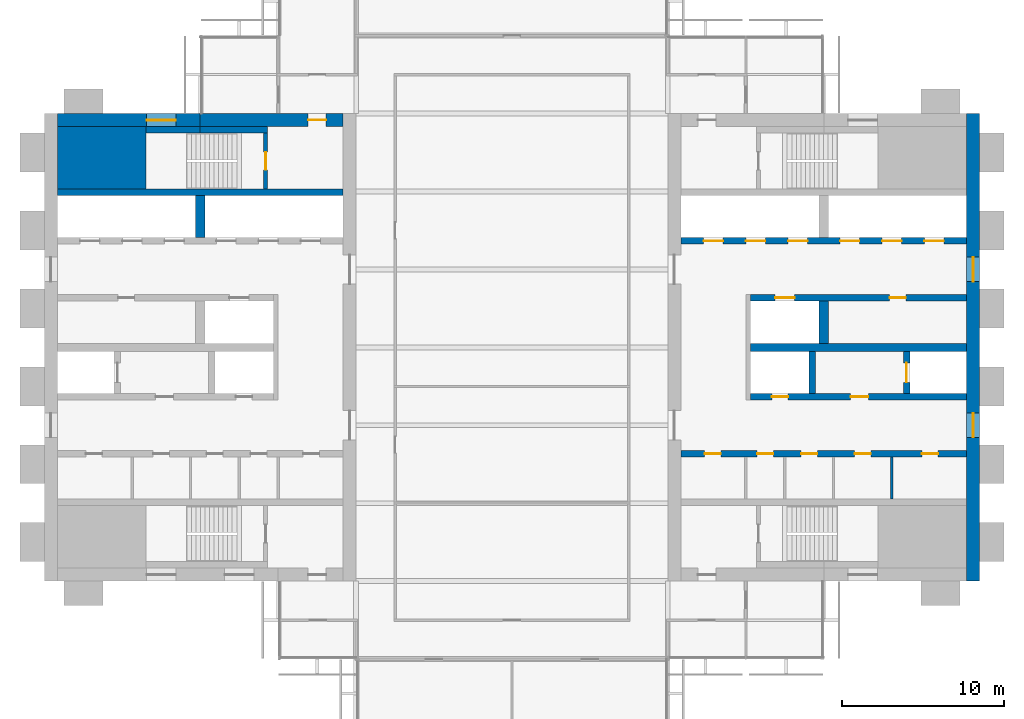
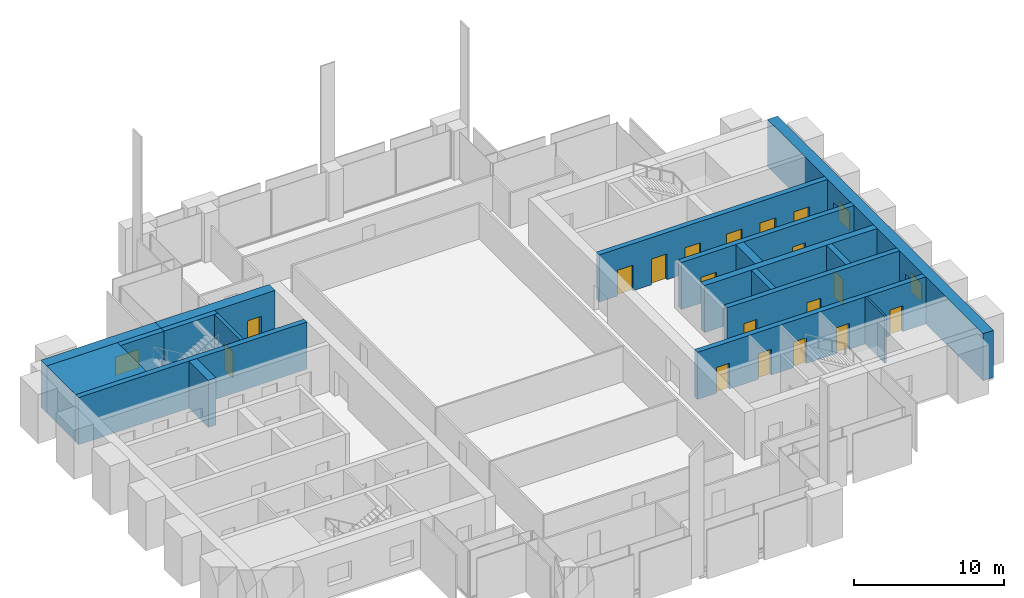
# One storey, part 10 of 13: 18 doors, 18 walls, 3 windows, 21 openings.
"""IFC4 building model written with IfcOpenShell, lengths in metres."""

from ifc_helpers import new_model, si_unit, direction, frame, frame_2d, origin, place, context, subcontext, project, spatial, rectangle, extrude, material, layer, layer_set, type_object, element, fill, save


model = new_model("IFC4")

# Units and contexts
model_context = context("Model", 3, precision=1e-05, world=origin(), true_north=direction((0.0, 1.0)))
body_context = subcontext(model_context, "Body", "Model", "MODEL_VIEW")
ifc_project = project(units=[si_unit("LENGTHUNIT", "METRE"), si_unit("AREAUNIT", "SQUARE_METRE"), si_unit("VOLUMEUNIT", "CUBIC_METRE"), si_unit("PLANEANGLEUNIT", "RADIAN"), si_unit("MASSUNIT", "GRAM", prefix="KILO")], contexts=[model_context])

# Site, building, storey
site_placement = place(None, origin())
site = spatial("IfcSite", under=ifc_project, at=site_placement, CompositionType="ELEMENT")
building_placement = place(site_placement, origin())
building = spatial("IfcBuilding", under=site, at=building_placement, Name="Baori Bourse Tower", CompositionType="ELEMENT")
storey_placement = place(building_placement, frame((0.0, 0.0, 213.199951171875)))
storey = spatial("IfcBuildingStorey", under=building, at=storey_placement, Name="L46", CompositionType="ELEMENT", Elevation=213.199951171875)

# Walls
ifc_material_1 = material(Name="Concrete f'c 50 MPa", Category="concrete")
wall_type_1 = type_object("IfcWallType", Name="Core corner block f'c 50", PredefinedType="SHEAR", material=ifc_material_1)
wall_1_placement = place(storey_placement, frame((0.800048828125, 35.675048828125, 0.0), z_axis=(0.0, 0.0, 1.0), x_axis=(1.0, 0.0, 0.0)))
element("IfcWall", 1, at=wall_1_placement, inside=storey, type_object=wall_type_1, Name="Core wall W24", PredefinedType="SHEAR", context=body_context, shape_type="SweptSolid", body=[
    extrude(rectangle(XDim=5.449951171875, YDim=3.85009765625, at=frame_2d((2.72509765625, 0.0))), origin(), (0.0, 0.0, 1.0), 3.840087890625),
])
ifc_material_2 = material(Name="Blockwork partition", Category="masonry")
ifc_layer_1 = layer(ifc_material_2, 0.14990234375)
ifc_layer_set_1 = layer_set([ifc_layer_1], Name="Core partition 150")
wall_type_2 = type_object("IfcWallType", Name="Core partition 150", PredefinedType="PARTITIONING", material=ifc_layer_set_1)
wall_2_placement = place(storey_placement, frame((52.199951171875, 14.64990234375, 0.0), z_axis=(0.0, 0.0, 1.0), x_axis=(0.0, 1.0, 0.0)))
element("IfcWall", 2, at=wall_2_placement, inside=storey, type_object=wall_type_2, Name="Partition wall E10", PredefinedType="PARTITIONING", context=body_context, shape_type="SweptSolid", body=[
    extrude(rectangle(XDim=2.60009765625, YDim=0.14990234375, at=frame_2d((1.300048828125, 0.0))), origin(), (0.0, 0.0, 1.0), 3.840087890625),
])

# Wall, opening, window
ifc_material_3 = material(Name="Concrete f'c 50 MPa", Category="concrete")
ifc_layer_2 = layer(ifc_material_3, 0.800048828125)
ifc_layer_set_2 = layer_set([ifc_layer_2], Name="Core wall 800 f'c 50")
wall_type_3 = type_object("IfcWallType", Name="Core wall 800 f'c 50", PredefinedType="SHEAR", material=ifc_layer_set_2)
wall_3_placement = place(storey_placement, frame((0.800048828125, 38.0, 0.0), z_axis=(0.0, 0.0, 1.0), x_axis=(1.0, 0.0, 0.0)))
wall_3 = element("IfcWall", 3, at=wall_3_placement, inside=storey, type_object=wall_type_3, Name="Core wall W28", PredefinedType="SHEAR", context=body_context, shape_type="SweptSolid", body=[
    extrude(rectangle(XDim=8.800048828125, YDim=0.800048828125, at=frame_2d((4.39990234375, 0.0))), origin(), (0.0, 0.0, 1.0), 3.840087890625),
])
opening_1_placement = place(wall_3_placement, frame((5.5, 0.0, 0.89990234375)))
opening_1 = element("IfcOpeningElement", 4, at=opening_1_placement, cuts=wall_3, Name="Opening L46-KW105", PredefinedType="OPENING", context=body_context, shape_type="SweptSolid", body=[
    extrude(rectangle(XDim=1.800048828125, YDim=1.5, at=frame_2d((0.89990234375, 0.75))), frame((0.0, 0.409912109375, 0.0), z_axis=(0.0, -1.0, 0.0), x_axis=(1.0, 0.0, 0.0)), (0.0, 0.0, 1.0), 0.820068359375),
])
ifc_material_4 = material(Name="Pale anodised aluminium", Category="aluminium")
window_type_1 = type_object("IfcWindowType", Name="Stair window 1800 x 1500", PartitioningType="SINGLE_PANEL", PredefinedType="WINDOW", material=ifc_material_4)
window_1_placement = place(opening_1_placement, origin())
window_1 = element("IfcWindow", 5, at=window_1_placement, inside=storey, type_object=window_type_1, Name="Stair window W L46 5", OverallHeight=1.5, OverallWidth=1.800048828125, PartitioningType="SINGLE_PANEL", PredefinedType="WINDOW", context=body_context, shape_type="SweptSolid", body=[
    extrude(rectangle(XDim=1.800048828125, YDim=1.5, at=frame_2d((0.89990234375, 0.75))), frame((0.0, 0.030029296875, 0.0), z_axis=(0.0, -1.0, 0.0), x_axis=(1.0, 0.0, 0.0)), (0.0, 0.0, 1.0), 0.06005859375),
])
fill(opening_1, window_1)

# Wall, opening, door
wall_4_placement = place(storey_placement, frame((9.60009765625, 38.0, 0.0), z_axis=(0.0, 0.0, 1.0), x_axis=(1.0, 0.0, 0.0)))
wall_4 = element("IfcWall", 6, at=wall_4_placement, inside=storey, type_object=wall_type_3, Name="Core wall W29", PredefinedType="SHEAR", context=body_context, shape_type="SweptSolid", body=[
    extrude(rectangle(XDim=8.7998046875, YDim=0.800048828125, at=frame_2d((4.39990234375, 0.0))), origin(), (0.0, 0.0, 1.0), 3.840087890625),
])
opening_2_placement = place(wall_4_placement, frame((6.64990234375, 0.0, 0.0)))
opening_2 = element("IfcOpeningElement", 7, at=opening_2_placement, cuts=wall_4, Name="Opening L46-D104", PredefinedType="OPENING", context=body_context, shape_type="SweptSolid", body=[
    extrude(rectangle(XDim=1.10009765625, YDim=2.10009765625, at=frame_2d((0.550048828125, 1.050048828125))), frame((0.0, 0.409912109375, 0.0), z_axis=(0.0, -1.0, 0.0), x_axis=(1.0, 0.0, 0.0)), (0.0, 0.0, 1.0), 0.820068359375),
])
ifc_material_5 = material(Name="Painted steel door", Category="steel")
door_type_1 = type_object("IfcDoorType", Name="Stair door 1100", OperationType="SINGLE_SWING_LEFT", PredefinedType="DOOR", material=ifc_material_5)
door_1_placement = place(opening_2_placement, origin())
door_1 = element("IfcDoor", 8, at=door_1_placement, inside=storey, type_object=door_type_1, Name="Stair vestibule door B W L46", OperationType="SINGLE_SWING_LEFT", OverallHeight=2.10009765625, OverallWidth=1.10009765625, PredefinedType="DOOR", context=body_context, shape_type="SweptSolid", body=[
    extrude(rectangle(XDim=1.10009765625, YDim=2.10009765625, at=frame_2d((0.550048828125, 1.050048828125))), frame((0.0, 0.02490234375, 0.0), z_axis=(0.0, -1.0, 0.0), x_axis=(1.0, 0.0, 0.0)), (0.0, 0.0, 1.0), 0.050048828125),
])
fill(opening_2, door_1)

# Wall, openings, windows
wall_5_placement = place(storey_placement, frame((57.199951171875, 38.39990234375, 0.0), z_axis=(0.0, 0.0, 1.0), x_axis=(0.0, -1.0, 0.0)))
wall_5 = element("IfcWall", 9, at=wall_5_placement, inside=storey, type_object=wall_type_3, Name="Core wall E01", PredefinedType="SHEAR", context=body_context, shape_type="SweptSolid", body=[
    extrude(rectangle(XDim=28.7998046875, YDim=0.800048828125, at=frame_2d((14.39990234375, 0.0))), origin(), (0.0, 0.0, 1.0), 3.840087890625),
])
opening_3_placement = place(wall_5_placement, frame((18.449951171875, 0.0, 0.89990234375)))
opening_3 = element("IfcOpeningElement", 10, at=opening_3_placement, cuts=wall_5, Name="Opening L46-KW201", PredefinedType="OPENING", context=body_context, shape_type="SweptSolid", body=[
    extrude(rectangle(XDim=1.5, YDim=1.5, at=frame_2d((0.75, 0.75))), frame((0.0, 0.409912109375, 0.0), z_axis=(0.0, -1.0, 0.0), x_axis=(1.0, 0.0, 0.0)), (0.0, 0.0, 1.0), 0.820068359375),
])
opening_4_placement = place(wall_5_placement, frame((8.85009765625, 0.0, 0.89990234375)))
opening_4 = element("IfcOpeningElement", 11, at=opening_4_placement, cuts=wall_5, Name="Opening L46-KW202", PredefinedType="OPENING", context=body_context, shape_type="SweptSolid", body=[
    extrude(rectangle(XDim=1.5, YDim=1.5, at=frame_2d((0.75, 0.75))), frame((0.0, 0.409912109375, 0.0), z_axis=(0.0, -1.0, 0.0), x_axis=(1.0, 0.0, 0.0)), (0.0, 0.0, 1.0), 0.820068359375),
])
ifc_material_6 = material(Name="Pale anodised aluminium", Category="aluminium")
window_type_2 = type_object("IfcWindowType", Name="Lobby window 1500 x 1500", PartitioningType="SINGLE_PANEL", PredefinedType="WINDOW", material=ifc_material_6)
window_2_placement = place(opening_3_placement, origin())
window_2 = element("IfcWindow", 12, at=window_2_placement, inside=storey, type_object=window_type_2, Name="Outer wall window E L46 1", OverallHeight=1.5, OverallWidth=1.5, PartitioningType="SINGLE_PANEL", PredefinedType="WINDOW", context=body_context, shape_type="SweptSolid", body=[
    extrude(rectangle(XDim=1.5, YDim=1.5, at=frame_2d((0.75, 0.75))), frame((0.0, 0.030029296875, 0.0), z_axis=(0.0, -1.0, 0.0), x_axis=(1.0, 0.0, 0.0)), (0.0, 0.0, 1.0), 0.06005859375),
])
fill(opening_3, window_2)
window_3_placement = place(opening_4_placement, origin())
window_3 = element("IfcWindow", 13, at=window_3_placement, inside=storey, type_object=window_type_2, Name="Outer wall window E L46 2", OverallHeight=1.5, OverallWidth=1.5, PartitioningType="SINGLE_PANEL", PredefinedType="WINDOW", context=body_context, shape_type="SweptSolid", body=[
    extrude(rectangle(XDim=1.5, YDim=1.5, at=frame_2d((0.75, 0.75))), frame((0.0, 0.030029296875, 0.0), z_axis=(0.0, -1.0, 0.0), x_axis=(1.0, 0.0, 0.0)), (0.0, 0.0, 1.0), 0.06005859375),
])
fill(opening_4, window_3)

# Wall, opening, door
ifc_material_7 = material(Name="Concrete f'c 50 MPa", Category="concrete")
ifc_layer_3 = layer(ifc_material_7, 0.25)
ifc_layer_set_3 = layer_set([ifc_layer_3], Name="Shaft wall 250 f'c 50")
wall_type_4 = type_object("IfcWallType", Name="Shaft wall 250 f'c 50", PredefinedType="SHEAR", material=ifc_layer_set_3)
wall_6_placement = place(storey_placement, frame((13.625, 33.75, 0.0), z_axis=(0.0, 0.0, 1.0), x_axis=(0.0, 1.0, 0.0)))
wall_6 = element("IfcWall", 14, at=wall_6_placement, inside=storey, type_object=wall_type_4, Name="Core wall W25", PredefinedType="SHEAR", context=body_context, shape_type="SweptSolid", body=[
    extrude(rectangle(XDim=3.449951171875, YDim=0.25, at=frame_2d((1.72509765625, 0.0))), origin(), (0.0, 0.0, 1.0), 3.840087890625),
])
opening_5_placement = place(wall_6_placement, frame((1.175048828125, 0.0, 0.0)))
opening_5 = element("IfcOpeningElement", 15, at=opening_5_placement, cuts=wall_6, Name="Opening L46-D103", PredefinedType="OPENING", context=body_context, shape_type="SweptSolid", body=[
    extrude(rectangle(XDim=1.10009765625, YDim=2.10009765625, at=frame_2d((0.550048828125, 1.050048828125))), frame((0.0, 0.135009765625, 0.0), z_axis=(0.0, -1.0, 0.0), x_axis=(1.0, 0.0, 0.0)), (0.0, 0.0, 1.0), 0.27001953125),
])
door_2_placement = place(opening_5_placement, origin())
door_2 = element("IfcDoor", 16, at=door_2_placement, inside=storey, type_object=door_type_1, Name="Stair door B W L46", OperationType="SINGLE_SWING_LEFT", OverallHeight=2.10009765625, OverallWidth=1.10009765625, PredefinedType="DOOR", context=body_context, shape_type="SweptSolid", body=[
    extrude(rectangle(XDim=1.10009765625, YDim=2.10009765625, at=frame_2d((0.550048828125, 1.050048828125))), frame((0.0, 0.02490234375, 0.0), z_axis=(0.0, -1.0, 0.0), x_axis=(1.0, 0.0, 0.0)), (0.0, 0.0, 1.0), 0.050048828125),
])
fill(opening_5, door_2)

# Walls
ifc_material_8 = material(Name="Concrete f'c 50 MPa", Category="concrete")
ifc_layer_4 = layer(ifc_material_8, 0.39990234375)
ifc_layer_set_4 = layer_set([ifc_layer_4], Name="Shaft wall 400 f'c 50")
wall_type_5 = type_object("IfcWallType", Name="Shaft wall 400 f'c 50", PredefinedType="SHEAR", material=ifc_layer_set_4)
wall_7_placement = place(storey_placement, frame((0.800048828125, 33.550048828125, 0.0), z_axis=(0.0, 0.0, 1.0), x_axis=(1.0, 0.0, 0.0)))
element("IfcWall", 17, at=wall_7_placement, inside=storey, type_object=wall_type_5, Name="Core wall W23", PredefinedType="SHEAR", context=body_context, shape_type="SweptSolid", body=[
    extrude(rectangle(XDim=17.599853515625, YDim=0.39990234375, at=frame_2d((8.7998046875, 0.0))), origin(), (0.0, 0.0, 1.0), 3.840087890625),
])
wall_8_placement = place(storey_placement, frame((6.25, 37.39990234375, 0.0), z_axis=(0.0, 0.0, 1.0), x_axis=(1.0, 0.0, 0.0)))
element("IfcWall", 18, at=wall_8_placement, inside=storey, type_object=wall_type_5, Name="Core wall W26", PredefinedType="SHEAR", context=body_context, shape_type="SweptSolid", body=[
    extrude(rectangle(XDim=3.35009765625, YDim=0.39990234375, at=frame_2d((1.675048828125, 0.0))), origin(), (0.0, 0.0, 1.0), 3.840087890625),
])
wall_9_placement = place(storey_placement, frame((9.60009765625, 37.39990234375, 0.0), z_axis=(0.0, 0.0, 1.0), x_axis=(1.0, 0.0, 0.0)))
element("IfcWall", 19, at=wall_9_placement, inside=storey, type_object=wall_type_5, Name="Core wall W27", PredefinedType="SHEAR", context=body_context, shape_type="SweptSolid", body=[
    extrude(rectangle(XDim=4.14990234375, YDim=0.39990234375, at=frame_2d((2.074951171875, 0.0))), origin(), (0.0, 0.0, 1.0), 3.840087890625),
])

# Wall, openings, doors
wall_10_placement = place(storey_placement, frame((39.199951171875, 17.449951171875, 0.0), z_axis=(0.0, 0.0, 1.0), x_axis=(1.0, 0.0, 0.0)))
wall_10 = element("IfcWall", 20, at=wall_10_placement, inside=storey, type_object=wall_type_5, Name="Core wall E14", PredefinedType="SHEAR", context=body_context, shape_type="SweptSolid", body=[
    extrude(rectangle(XDim=17.60009765625, YDim=0.39990234375, at=frame_2d((8.800048828125, 0.0))), origin(), (0.0, 0.0, 1.0), 3.840087890625),
])
opening_6_placement = place(wall_10_placement, frame((14.83740234375, 0.0, 0.0)))
opening_6 = element("IfcOpeningElement", 21, at=opening_6_placement, cuts=wall_10, Name="Opening L46-D209", PredefinedType="OPENING", context=body_context, shape_type="SweptSolid", body=[
    extrude(rectangle(XDim=1.0, YDim=2.10009765625, at=frame_2d((0.5, 1.050048828125))), frame((0.0, 0.2099609375, 0.0), z_axis=(0.0, -1.0, 0.0), x_axis=(1.0, 0.0, 0.0)), (0.0, 0.0, 1.0), 0.419921875),
])
opening_7_placement = place(wall_10_placement, frame((10.699951171875, 0.0, 0.0)))
opening_7 = element("IfcOpeningElement", 22, at=opening_7_placement, cuts=wall_10, Name="Opening L46-D210", PredefinedType="OPENING", context=body_context, shape_type="SweptSolid", body=[
    extrude(rectangle(XDim=1.0, YDim=2.10009765625, at=frame_2d((0.5, 1.050048828125))), frame((0.0, 0.2099609375, 0.0), z_axis=(0.0, -1.0, 0.0), x_axis=(1.0, 0.0, 0.0)), (0.0, 0.0, 1.0), 0.419921875),
])
opening_8_placement = place(wall_10_placement, frame((7.39990234375, 0.0, 0.0)))
opening_8 = element("IfcOpeningElement", 23, at=opening_8_placement, cuts=wall_10, Name="Opening L46-D211", PredefinedType="OPENING", context=body_context, shape_type="SweptSolid", body=[
    extrude(rectangle(XDim=1.0, YDim=2.10009765625, at=frame_2d((0.5, 1.050048828125))), frame((0.0, 0.2099609375, 0.0), z_axis=(0.0, -1.0, 0.0), x_axis=(1.0, 0.0, 0.0)), (0.0, 0.0, 1.0), 0.419921875),
])
opening_9_placement = place(wall_10_placement, frame((4.699951171875, 0.0, 0.0)))
opening_9 = element("IfcOpeningElement", 24, at=opening_9_placement, cuts=wall_10, Name="Opening L46-D212", PredefinedType="OPENING", context=body_context, shape_type="SweptSolid", body=[
    extrude(rectangle(XDim=1.0, YDim=2.10009765625, at=frame_2d((0.5, 1.050048828125))), frame((0.0, 0.2099609375, 0.0), z_axis=(0.0, -1.0, 0.0), x_axis=(1.0, 0.0, 0.0)), (0.0, 0.0, 1.0), 0.419921875),
])
opening_10_placement = place(wall_10_placement, frame((1.46240234375, 0.0, 0.0)))
opening_10 = element("IfcOpeningElement", 25, at=opening_10_placement, cuts=wall_10, Name="Opening L46-D213", PredefinedType="OPENING", context=body_context, shape_type="SweptSolid", body=[
    extrude(rectangle(XDim=1.0, YDim=2.10009765625, at=frame_2d((0.5, 1.050048828125))), frame((0.0, 0.2099609375, 0.0), z_axis=(0.0, -1.0, 0.0), x_axis=(1.0, 0.0, 0.0)), (0.0, 0.0, 1.0), 0.419921875),
])
ifc_material_9 = material(Name="Painted steel door", Category="steel")
door_type_2 = type_object("IfcDoorType", Name="Core door 1000", OperationType="SINGLE_SWING_LEFT", PredefinedType="DOOR", material=ifc_material_9)
door_3_placement = place(opening_6_placement, origin())
door_3 = element("IfcDoor", 26, at=door_3_placement, inside=storey, type_object=door_type_2, Name="Men'S Wc door E L46", OperationType="SINGLE_SWING_LEFT", OverallHeight=2.10009765625, OverallWidth=1.0, PredefinedType="DOOR", context=body_context, shape_type="SweptSolid", body=[
    extrude(rectangle(XDim=1.0, YDim=2.10009765625, at=frame_2d((0.5, 1.050048828125))), frame((0.0, 0.02490234375, 0.0), z_axis=(0.0, -1.0, 0.0), x_axis=(1.0, 0.0, 0.0)), (0.0, 0.0, 1.0), 0.050048828125),
])
fill(opening_6, door_3)
door_4_placement = place(opening_7_placement, origin())
door_4 = element("IfcDoor", 27, at=door_4_placement, inside=storey, type_object=door_type_2, Name="Women'S Wc door E L46", OperationType="SINGLE_SWING_LEFT", OverallHeight=2.10009765625, OverallWidth=1.0, PredefinedType="DOOR", context=body_context, shape_type="SweptSolid", body=[
    extrude(rectangle(XDim=1.0, YDim=2.10009765625, at=frame_2d((0.5, 1.050048828125))), frame((0.0, 0.02490234375, 0.0), z_axis=(0.0, -1.0, 0.0), x_axis=(1.0, 0.0, 0.0)), (0.0, 0.0, 1.0), 0.050048828125),
])
fill(opening_7, door_4)
door_5_placement = place(opening_8_placement, origin())
door_5 = element("IfcDoor", 28, at=door_5_placement, inside=storey, type_object=door_type_2, Name="Pantry door E L46", OperationType="SINGLE_SWING_LEFT", OverallHeight=2.10009765625, OverallWidth=1.0, PredefinedType="DOOR", context=body_context, shape_type="SweptSolid", body=[
    extrude(rectangle(XDim=1.0, YDim=2.10009765625, at=frame_2d((0.5, 1.050048828125))), frame((0.0, 0.02490234375, 0.0), z_axis=(0.0, -1.0, 0.0), x_axis=(1.0, 0.0, 0.0)), (0.0, 0.0, 1.0), 0.050048828125),
])
fill(opening_8, door_5)
door_6_placement = place(opening_9_placement, origin())
door_6 = element("IfcDoor", 29, at=door_6_placement, inside=storey, type_object=door_type_2, Name="Store Room door E L46", OperationType="SINGLE_SWING_LEFT", OverallHeight=2.10009765625, OverallWidth=1.0, PredefinedType="DOOR", context=body_context, shape_type="SweptSolid", body=[
    extrude(rectangle(XDim=1.0, YDim=2.10009765625, at=frame_2d((0.5, 1.050048828125))), frame((0.0, 0.02490234375, 0.0), z_axis=(0.0, -1.0, 0.0), x_axis=(1.0, 0.0, 0.0)), (0.0, 0.0, 1.0), 0.050048828125),
])
fill(opening_9, door_6)
door_7_placement = place(opening_10_placement, origin())
door_7 = element("IfcDoor", 30, at=door_7_placement, inside=storey, type_object=door_type_2, Name="Accessible Wc door E L46", OperationType="SINGLE_SWING_LEFT", OverallHeight=2.10009765625, OverallWidth=1.0, PredefinedType="DOOR", context=body_context, shape_type="SweptSolid", body=[
    extrude(rectangle(XDim=1.0, YDim=2.10009765625, at=frame_2d((0.5, 1.050048828125))), frame((0.0, 0.02490234375, 0.0), z_axis=(0.0, -1.0, 0.0), x_axis=(1.0, 0.0, 0.0)), (0.0, 0.0, 1.0), 0.050048828125),
])
fill(opening_10, door_7)

wall_11_placement = place(storey_placement, frame((43.5, 20.949951171875, 0.0), z_axis=(0.0, 0.0, 1.0), x_axis=(1.0, 0.0, 0.0)))
wall_11 = element("IfcWall", 31, at=wall_11_placement, inside=storey, type_object=wall_type_5, Name="Core wall E15", PredefinedType="SHEAR", context=body_context, shape_type="SweptSolid", body=[
    extrude(rectangle(XDim=13.300048828125, YDim=0.39990234375, at=frame_2d((6.64990234375, 0.0))), origin(), (0.0, 0.0, 1.0), 3.840087890625),
])
opening_11_placement = place(wall_11_placement, frame((6.14990234375, 0.0, 0.0)))
opening_11 = element("IfcOpeningElement", 32, at=opening_11_placement, cuts=wall_11, Name="Opening L46-D205", PredefinedType="OPENING", context=body_context, shape_type="SweptSolid", body=[
    extrude(rectangle(XDim=1.10009765625, YDim=2.10009765625, at=frame_2d((0.550048828125, 1.050048828125))), frame((0.0, 0.2099609375, 0.0), z_axis=(0.0, -1.0, 0.0), x_axis=(1.0, 0.0, 0.0)), (0.0, 0.0, 1.0), 0.419921875),
])
opening_12_placement = place(wall_11_placement, frame((1.300048828125, 0.0, 0.0)))
opening_12 = element("IfcOpeningElement", 33, at=opening_12_placement, cuts=wall_11, Name="Opening L46-D206", PredefinedType="OPENING", context=body_context, shape_type="SweptSolid", body=[
    extrude(rectangle(XDim=1.0, YDim=2.10009765625, at=frame_2d((0.5, 1.050048828125))), frame((0.0, 0.2099609375, 0.0), z_axis=(0.0, -1.0, 0.0), x_axis=(1.0, 0.0, 0.0)), (0.0, 0.0, 1.0), 0.419921875),
])
ifc_material_10 = material(Name="Painted steel door", Category="steel")
door_type_3 = type_object("IfcDoorType", Name="Lobby door 1100", OperationType="SINGLE_SWING_LEFT", PredefinedType="DOOR", material=ifc_material_10)
door_8_placement = place(opening_11_placement, origin())
door_8 = element("IfcDoor", 34, at=door_8_placement, inside=storey, type_object=door_type_3, Name="Firefighting lobby door E L46", OperationType="SINGLE_SWING_LEFT", OverallHeight=2.10009765625, OverallWidth=1.10009765625, PredefinedType="DOOR", context=body_context, shape_type="SweptSolid", body=[
    extrude(rectangle(XDim=1.10009765625, YDim=2.10009765625, at=frame_2d((0.550048828125, 1.050048828125))), frame((0.0, 0.02490234375, 0.0), z_axis=(0.0, -1.0, 0.0), x_axis=(1.0, 0.0, 0.0)), (0.0, 0.0, 1.0), 0.050048828125),
])
fill(opening_11, door_8)
ifc_material_11 = material(Name="Painted steel door", Category="steel")
door_type_4 = type_object("IfcDoorType", Name="Shaft door 1000", OperationType="SINGLE_SWING_LEFT", PredefinedType="DOOR", material=ifc_material_11)
door_9_placement = place(opening_12_placement, origin())
door_9 = element("IfcDoor", 35, at=door_9_placement, inside=storey, type_object=door_type_4, Name="Riser room door E L46", OperationType="SINGLE_SWING_LEFT", OverallHeight=2.10009765625, OverallWidth=1.0, PredefinedType="DOOR", context=body_context, shape_type="SweptSolid", body=[
    extrude(rectangle(XDim=1.0, YDim=2.10009765625, at=frame_2d((0.5, 1.050048828125))), frame((0.0, 0.02490234375, 0.0), z_axis=(0.0, -1.0, 0.0), x_axis=(1.0, 0.0, 0.0)), (0.0, 0.0, 1.0), 0.050048828125),
])
fill(opening_12, door_9)

# Wall, opening, door
wall_12_placement = place(storey_placement, frame((53.10009765625, 21.14990234375, 0.0), z_axis=(0.0, 0.0, 1.0), x_axis=(0.0, 1.0, 0.0)))
wall_12 = element("IfcWall", 36, at=wall_12_placement, inside=storey, type_object=wall_type_5, Name="Core wall E17", PredefinedType="SHEAR", context=body_context, shape_type="SweptSolid", body=[
    extrude(rectangle(XDim=2.60009765625, YDim=0.39990234375, at=frame_2d((1.300048828125, 0.0))), origin(), (0.0, 0.0, 1.0), 3.840087890625),
])
opening_13_placement = place(wall_12_placement, frame((0.699951171875, 0.0, 0.0)))
opening_13 = element("IfcOpeningElement", 37, at=opening_13_placement, cuts=wall_12, Name="Opening L46-D222", PredefinedType="OPENING", context=body_context, shape_type="SweptSolid", body=[
    extrude(rectangle(XDim=1.199951171875, YDim=2.10009765625, at=frame_2d((0.60009765625, 1.050048828125))), frame((0.0, 0.2099609375, 0.0), z_axis=(0.0, -1.0, 0.0), x_axis=(1.0, 0.0, 0.0)), (0.0, 0.0, 1.0), 0.419921875),
])
ifc_material_12 = material(Name="Stainless steel door", Category="steel")
door_type_5 = type_object("IfcDoorType", Name="Lift landing door", OperationType="DOUBLE_DOOR_SLIDING", PredefinedType="DOOR", material=ifc_material_12)
door_10_placement = place(opening_13_placement, origin())
door_10 = element("IfcDoor", 38, at=door_10_placement, inside=storey, type_object=door_type_5, Name="Lift landing door FF2 E L46", OperationType="DOUBLE_DOOR_SLIDING", OverallHeight=2.10009765625, OverallWidth=1.199951171875, PredefinedType="DOOR", context=body_context, shape_type="SweptSolid", body=[
    extrude(rectangle(XDim=1.199951171875, YDim=2.10009765625, at=frame_2d((0.60009765625, 1.050048828125))), frame((0.0, 0.02490234375, 0.0), z_axis=(0.0, -1.0, 0.0), x_axis=(1.0, 0.0, 0.0)), (0.0, 0.0, 1.0), 0.050048828125),
])
fill(opening_13, door_10)

# Wall
wall_13_placement = place(storey_placement, frame((47.300048828125, 21.14990234375, 0.0), z_axis=(0.0, 0.0, 1.0), x_axis=(0.0, 1.0, 0.0)))
element("IfcWall", 39, at=wall_13_placement, inside=storey, type_object=wall_type_5, Name="Core wall E18", PredefinedType="SHEAR", context=body_context, shape_type="SweptSolid", body=[
    extrude(rectangle(XDim=2.60009765625, YDim=0.39990234375, at=frame_2d((1.300048828125, 0.0))), origin(), (0.0, 0.0, 1.0), 3.840087890625),
])

# Wall, openings, doors
wall_14_placement = place(storey_placement, frame((43.5, 27.050048828125, 0.0), z_axis=(0.0, 0.0, 1.0), x_axis=(1.0, 0.0, 0.0)))
wall_14 = element("IfcWall", 40, at=wall_14_placement, inside=storey, type_object=wall_type_5, Name="Core wall E21", PredefinedType="SHEAR", context=body_context, shape_type="SweptSolid", body=[
    extrude(rectangle(XDim=13.300048828125, YDim=0.39990234375, at=frame_2d((6.64990234375, 0.0))), origin(), (0.0, 0.0, 1.0), 3.840087890625),
])
opening_14_placement = place(wall_14_placement, frame((8.550048828125, 0.0, 0.0)))
opening_14 = element("IfcOpeningElement", 41, at=opening_14_placement, cuts=wall_14, Name="Opening L46-D214", PredefinedType="OPENING", context=body_context, shape_type="SweptSolid", body=[
    extrude(rectangle(XDim=1.0, YDim=2.10009765625, at=frame_2d((0.5, 1.050048828125))), frame((0.0, 0.2099609375, 0.0), z_axis=(0.0, -1.0, 0.0), x_axis=(1.0, 0.0, 0.0)), (0.0, 0.0, 1.0), 0.419921875),
])
opening_15_placement = place(wall_14_placement, frame((1.5, 0.0, 0.0)))
opening_15 = element("IfcOpeningElement", 42, at=opening_15_placement, cuts=wall_14, Name="Opening L46-D221", PredefinedType="OPENING", context=body_context, shape_type="SweptSolid", body=[
    extrude(rectangle(XDim=1.199951171875, YDim=2.10009765625, at=frame_2d((0.60009765625, 1.050048828125))), frame((0.0, 0.2099609375, 0.0), z_axis=(0.0, -1.0, 0.0), x_axis=(1.0, 0.0, 0.0)), (0.0, 0.0, 1.0), 0.419921875),
])
door_11_placement = place(opening_14_placement, origin())
door_11 = element("IfcDoor", 43, at=door_11_placement, inside=storey, type_object=door_type_2, Name="Copy Room door E L46", OperationType="SINGLE_SWING_LEFT", OverallHeight=2.10009765625, OverallWidth=1.0, PredefinedType="DOOR", context=body_context, shape_type="SweptSolid", body=[
    extrude(rectangle(XDim=1.0, YDim=2.10009765625, at=frame_2d((0.5, 1.050048828125))), frame((0.0, 0.02490234375, 0.0), z_axis=(0.0, -1.0, 0.0), x_axis=(1.0, 0.0, 0.0)), (0.0, 0.0, 1.0), 0.050048828125),
])
fill(opening_14, door_11)
door_12_placement = place(opening_15_placement, origin())
door_12 = element("IfcDoor", 44, at=door_12_placement, inside=storey, type_object=door_type_5, Name="Lift landing door SV1 E L46", OperationType="DOUBLE_DOOR_SLIDING", OverallHeight=2.10009765625, OverallWidth=1.199951171875, PredefinedType="DOOR", context=body_context, shape_type="SweptSolid", body=[
    extrude(rectangle(XDim=1.199951171875, YDim=2.10009765625, at=frame_2d((0.60009765625, 1.050048828125))), frame((0.0, 0.02490234375, 0.0), z_axis=(0.0, -1.0, 0.0), x_axis=(1.0, 0.0, 0.0)), (0.0, 0.0, 1.0), 0.050048828125),
])
fill(opening_15, door_12)

wall_15_placement = place(storey_placement, frame((39.199951171875, 30.550048828125, 0.0), z_axis=(0.0, 0.0, 1.0), x_axis=(1.0, 0.0, 0.0)))
wall_15 = element("IfcWall", 45, at=wall_15_placement, inside=storey, type_object=wall_type_5, Name="Core wall E22", PredefinedType="SHEAR", context=body_context, shape_type="SweptSolid", body=[
    extrude(rectangle(XDim=17.60009765625, YDim=0.39990234375, at=frame_2d((8.800048828125, 0.0))), origin(), (0.0, 0.0, 1.0), 3.840087890625),
])
opening_16_placement = place(wall_15_placement, frame((15.0, 0.0, 0.0)))
opening_16 = element("IfcOpeningElement", 46, at=opening_16_placement, cuts=wall_15, Name="Opening L46-D215", PredefinedType="OPENING", context=body_context, shape_type="SweptSolid", body=[
    extrude(rectangle(XDim=1.199951171875, YDim=2.10009765625, at=frame_2d((0.60009765625, 1.050048828125))), frame((0.0, 0.2099609375, 0.0), z_axis=(0.0, -1.0, 0.0), x_axis=(1.0, 0.0, 0.0)), (0.0, 0.0, 1.0), 0.419921875),
])
opening_17_placement = place(wall_15_placement, frame((12.39990234375, 0.0, 0.0)))
opening_17 = element("IfcOpeningElement", 47, at=opening_17_placement, cuts=wall_15, Name="Opening L46-D216", PredefinedType="OPENING", context=body_context, shape_type="SweptSolid", body=[
    extrude(rectangle(XDim=1.199951171875, YDim=2.10009765625, at=frame_2d((0.60009765625, 1.050048828125))), frame((0.0, 0.2099609375, 0.0), z_axis=(0.0, -1.0, 0.0), x_axis=(1.0, 0.0, 0.0)), (0.0, 0.0, 1.0), 0.419921875),
])
opening_18_placement = place(wall_15_placement, frame((9.800048828125, 0.0, 0.0)))
opening_18 = element("IfcOpeningElement", 48, at=opening_18_placement, cuts=wall_15, Name="Opening L46-D217", PredefinedType="OPENING", context=body_context, shape_type="SweptSolid", body=[
    extrude(rectangle(XDim=1.199951171875, YDim=2.10009765625, at=frame_2d((0.60009765625, 1.050048828125))), frame((0.0, 0.2099609375, 0.0), z_axis=(0.0, -1.0, 0.0), x_axis=(1.0, 0.0, 0.0)), (0.0, 0.0, 1.0), 0.419921875),
])
opening_19_placement = place(wall_15_placement, frame((6.60009765625, 0.0, 0.0)))
opening_19 = element("IfcOpeningElement", 49, at=opening_19_placement, cuts=wall_15, Name="Opening L46-D218", PredefinedType="OPENING", context=body_context, shape_type="SweptSolid", body=[
    extrude(rectangle(XDim=1.199951171875, YDim=2.10009765625, at=frame_2d((0.60009765625, 1.050048828125))), frame((0.0, 0.2099609375, 0.0), z_axis=(0.0, -1.0, 0.0), x_axis=(1.0, 0.0, 0.0)), (0.0, 0.0, 1.0), 0.419921875),
])
opening_20_placement = place(wall_15_placement, frame((4.0, 0.0, 0.0)))
opening_20 = element("IfcOpeningElement", 50, at=opening_20_placement, cuts=wall_15, Name="Opening L46-D219", PredefinedType="OPENING", context=body_context, shape_type="SweptSolid", body=[
    extrude(rectangle(XDim=1.199951171875, YDim=2.10009765625, at=frame_2d((0.60009765625, 1.050048828125))), frame((0.0, 0.2099609375, 0.0), z_axis=(0.0, -1.0, 0.0), x_axis=(1.0, 0.0, 0.0)), (0.0, 0.0, 1.0), 0.419921875),
])
opening_21_placement = place(wall_15_placement, frame((1.39990234375, 0.0, 0.0)))
opening_21 = element("IfcOpeningElement", 51, at=opening_21_placement, cuts=wall_15, Name="Opening L46-D220", PredefinedType="OPENING", context=body_context, shape_type="SweptSolid", body=[
    extrude(rectangle(XDim=1.199951171875, YDim=2.10009765625, at=frame_2d((0.60009765625, 1.050048828125))), frame((0.0, 0.2099609375, 0.0), z_axis=(0.0, -1.0, 0.0), x_axis=(1.0, 0.0, 0.0)), (0.0, 0.0, 1.0), 0.419921875),
])
door_13_placement = place(opening_16_placement, origin())
door_13 = element("IfcDoor", 52, at=door_13_placement, inside=storey, type_object=door_type_5, Name="Lift landing door HR1 E L46", OperationType="DOUBLE_DOOR_SLIDING", OverallHeight=2.10009765625, OverallWidth=1.199951171875, PredefinedType="DOOR", context=body_context, shape_type="SweptSolid", body=[
    extrude(rectangle(XDim=1.199951171875, YDim=2.10009765625, at=frame_2d((0.60009765625, 1.050048828125))), frame((0.0, 0.02490234375, 0.0), z_axis=(0.0, -1.0, 0.0), x_axis=(1.0, 0.0, 0.0)), (0.0, 0.0, 1.0), 0.050048828125),
])
fill(opening_16, door_13)
door_14_placement = place(opening_17_placement, origin())
door_14 = element("IfcDoor", 53, at=door_14_placement, inside=storey, type_object=door_type_5, Name="Lift landing door HR2 E L46", OperationType="DOUBLE_DOOR_SLIDING", OverallHeight=2.10009765625, OverallWidth=1.199951171875, PredefinedType="DOOR", context=body_context, shape_type="SweptSolid", body=[
    extrude(rectangle(XDim=1.199951171875, YDim=2.10009765625, at=frame_2d((0.60009765625, 1.050048828125))), frame((0.0, 0.02490234375, 0.0), z_axis=(0.0, -1.0, 0.0), x_axis=(1.0, 0.0, 0.0)), (0.0, 0.0, 1.0), 0.050048828125),
])
fill(opening_17, door_14)
door_15_placement = place(opening_18_placement, origin())
door_15 = element("IfcDoor", 54, at=door_15_placement, inside=storey, type_object=door_type_5, Name="Lift landing door HR3 E L46", OperationType="DOUBLE_DOOR_SLIDING", OverallHeight=2.10009765625, OverallWidth=1.199951171875, PredefinedType="DOOR", context=body_context, shape_type="SweptSolid", body=[
    extrude(rectangle(XDim=1.199951171875, YDim=2.10009765625, at=frame_2d((0.60009765625, 1.050048828125))), frame((0.0, 0.02490234375, 0.0), z_axis=(0.0, -1.0, 0.0), x_axis=(1.0, 0.0, 0.0)), (0.0, 0.0, 1.0), 0.050048828125),
])
fill(opening_18, door_15)
door_16_placement = place(opening_19_placement, origin())
door_16 = element("IfcDoor", 55, at=door_16_placement, inside=storey, type_object=door_type_5, Name="Lift landing door HR4 E L46", OperationType="DOUBLE_DOOR_SLIDING", OverallHeight=2.10009765625, OverallWidth=1.199951171875, PredefinedType="DOOR", context=body_context, shape_type="SweptSolid", body=[
    extrude(rectangle(XDim=1.199951171875, YDim=2.10009765625, at=frame_2d((0.60009765625, 1.050048828125))), frame((0.0, 0.02490234375, 0.0), z_axis=(0.0, -1.0, 0.0), x_axis=(1.0, 0.0, 0.0)), (0.0, 0.0, 1.0), 0.050048828125),
])
fill(opening_19, door_16)
door_17_placement = place(opening_20_placement, origin())
door_17 = element("IfcDoor", 56, at=door_17_placement, inside=storey, type_object=door_type_5, Name="Lift landing door HR5 E L46", OperationType="DOUBLE_DOOR_SLIDING", OverallHeight=2.10009765625, OverallWidth=1.199951171875, PredefinedType="DOOR", context=body_context, shape_type="SweptSolid", body=[
    extrude(rectangle(XDim=1.199951171875, YDim=2.10009765625, at=frame_2d((0.60009765625, 1.050048828125))), frame((0.0, 0.02490234375, 0.0), z_axis=(0.0, -1.0, 0.0), x_axis=(1.0, 0.0, 0.0)), (0.0, 0.0, 1.0), 0.050048828125),
])
fill(opening_20, door_17)
door_18_placement = place(opening_21_placement, origin())
door_18 = element("IfcDoor", 57, at=door_18_placement, inside=storey, type_object=door_type_5, Name="Lift landing door HR6 E L46", OperationType="DOUBLE_DOOR_SLIDING", OverallHeight=2.10009765625, OverallWidth=1.199951171875, PredefinedType="DOOR", context=body_context, shape_type="SweptSolid", body=[
    extrude(rectangle(XDim=1.199951171875, YDim=2.10009765625, at=frame_2d((0.60009765625, 1.050048828125))), frame((0.0, 0.02490234375, 0.0), z_axis=(0.0, -1.0, 0.0), x_axis=(1.0, 0.0, 0.0)), (0.0, 0.0, 1.0), 0.050048828125),
])
fill(opening_21, door_18)

# Walls
ifc_material_13 = material(Name="Concrete f'c 50 MPa", Category="concrete")
ifc_layer_5 = layer(ifc_material_13, 0.5)
ifc_layer_set_5 = layer_set([ifc_layer_5], Name="Shaft wall 500 f'c 50")
wall_type_6 = type_object("IfcWallType", Name="Shaft wall 500 f'c 50", PredefinedType="SHEAR", material=ifc_layer_set_5)
wall_16_placement = place(storey_placement, frame((43.5, 24.0, 0.0), z_axis=(0.0, 0.0, 1.0), x_axis=(1.0, 0.0, 0.0)))
element("IfcWall", 58, at=wall_16_placement, inside=storey, type_object=wall_type_6, Name="Core wall E19", PredefinedType="SHEAR", context=body_context, shape_type="SweptSolid", body=[
    extrude(rectangle(XDim=13.300048828125, YDim=0.5, at=frame_2d((6.64990234375, 0.0))), origin(), (0.0, 0.0, 1.0), 3.840087890625),
])
ifc_material_14 = material(Name="Concrete f'c 50 MPa", Category="concrete")
ifc_layer_6 = layer(ifc_material_14, 0.60009765625)
ifc_layer_set_6 = layer_set([ifc_layer_6], Name="Shaft wall 600 f'c 50")
wall_type_7 = type_object("IfcWallType", Name="Shaft wall 600 f'c 50", PredefinedType="SHEAR", material=ifc_layer_set_6)
for number, where, z_axis, x_axis, name in (
    (59, (9.60009765625, 30.75, 0.0), (0.0, 0.0, 1.0), (0.0, 1.0, 0.0), "Core wall W22"),
    (60, (48.0, 24.25, 0.0), (0.0, 0.0, 1.0), (0.0, 1.0, 0.0), "Core wall E20"),
):
    element("IfcWall", number, at=place(storey_placement, frame(where, z_axis=z_axis, x_axis=x_axis)), inside=storey, type_object=wall_type_7, Name=name, PredefinedType="SHEAR", context=body_context, shape_type="SweptSolid", body=[
        extrude(rectangle(XDim=2.60009765625, YDim=0.60009765625, at=frame_2d((1.300048828125, 0.0))), origin(), (0.0, 0.0, 1.0), 3.840087890625),
    ])

save(model, "model.ifc")
